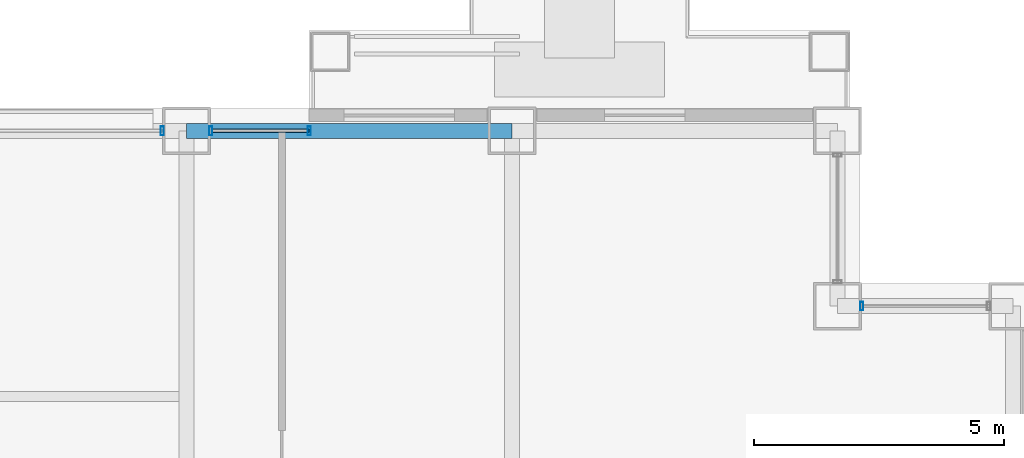
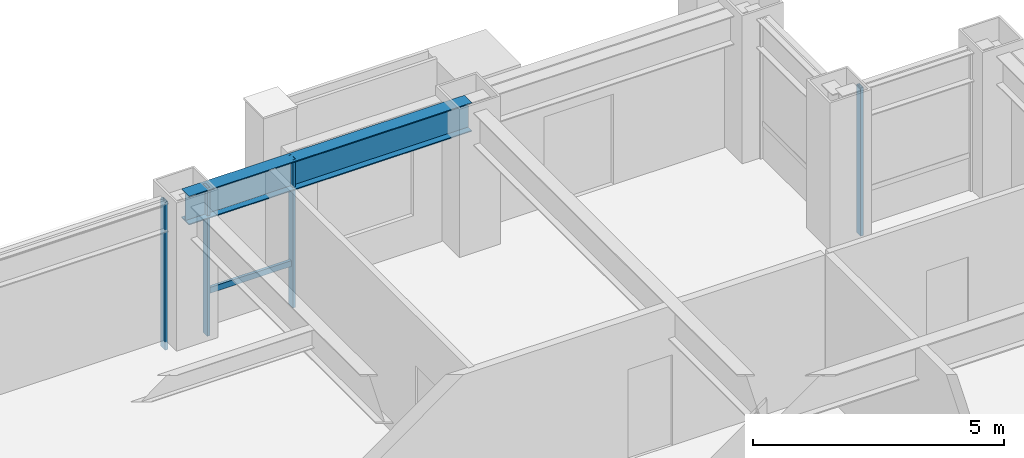
# One storey, part 20 of 31: 5 members, 1 beam, 3 elements without a shape of their own.
"""IFC4 building model written with IfcOpenShell, lengths in metres."""

from ifc_helpers import new_model, si_unit, direction, frame, origin, origin_2d, place, context, subcontext, project, spatial, hollow_rectangle, i_section, extrude, material, layer, layer_set, material_profile, profile_set, type_object, element, aggregate, save


model = new_model("IFC4")

# Units and contexts
model_context = context("Model", 3, precision=1e-05, world=origin(), true_north=direction((0.0, 1.0)))
body_context = subcontext(model_context, "Body", "Model", "MODEL_VIEW")
ifc_project = project(units=[si_unit("LENGTHUNIT", "METRE"), si_unit("AREAUNIT", "SQUARE_METRE"), si_unit("VOLUMEUNIT", "CUBIC_METRE"), si_unit("PLANEANGLEUNIT", "RADIAN"), si_unit("MASSUNIT", "GRAM", prefix="KILO")], contexts=[model_context])

# Site, building, storey
site_placement = place(None, origin())
site = spatial("IfcSite", under=ifc_project, at=site_placement, CompositionType="ELEMENT")
building_placement = place(site_placement, origin())
building = spatial("IfcBuilding", under=site, at=building_placement, Name="Brelmoor Portico Tower", CompositionType="ELEMENT")
storey_placement = place(building_placement, frame((0.0, 0.0, 42.0)))
storey = spatial("IfcBuildingStorey", under=building, at=storey_placement, Name="L10", CompositionType="ELEMENT", Elevation=42.0)

# Beam
ifc_material_1 = material(Name="Steel Q355B", Category="steel")
ifc_material_profile_1 = material_profile(ifc_material_1, i_section(OverallWidth=0.300048828125, OverallDepth=0.699951171875, WebThickness=0.012939453125, FlangeThickness=0.02392578125, at=origin_2d()), Name="HN 700x300x13x24")
ifc_profile_set_1 = profile_set([ifc_material_profile_1], Name="Steel Q355B")
beam_type = type_object("IfcBeamType", Name="BM-SP-700", PredefinedType="SPANDREL", material=ifc_profile_set_1)
beam_placement = place(storey_placement, frame((8.050048828125, 21.550048828125, 3.050048828125), z_axis=(1.0, 0.0, 0.0), x_axis=(0.0, 1.0, 0.0)))
element("IfcBeam", 1, at=beam_placement, inside=storey, type_object=beam_type, Name="L10 Perimeter Spandrel Beam SP-13", PredefinedType="SPANDREL", context=body_context, shape_type="SweptSolid", body=[
    extrude(i_section(OverallWidth=0.300048828125, OverallDepth=0.699951171875, WebThickness=0.012939453125, FlangeThickness=0.02392578125, at=origin_2d()), origin(), (0.0, 0.0, 1.0), 6.5),
])

# Curtain wall, member
ifc_material_2 = material(Name="Anodised Aluminium Alloy 6063-T6", Category="aluminium")
ifc_layer_1 = layer(ifc_material_2, 0.179931640625)
ifc_layer_set_1 = layer_set([ifc_layer_1], Name="Anodised Aluminium Alloy 6063-T6")
curtain_wall_type_1 = type_object("IfcCurtainWallType", Name="CW-NOTCH-CHAMFER", PredefinedType="NOTDEFINED", material=ifc_layer_set_1)
curtain_wall_1_placement = place(storey_placement, origin())
curtain_wall_1 = element("IfcCurtainWall", 2, at=curtain_wall_1_placement, inside=storey, type_object=curtain_wall_type_1, Name="L10 Curtain Wall CWN-L10-NEH", PredefinedType="NOTDEFINED")
ifc_material_profile_2 = material_profile(ifc_material_2, hollow_rectangle(XDim=0.06494140625, YDim=0.1650390625, WallThickness=0.00390625, at=origin_2d()), Name="ALU MULLION 65x165")
ifc_profile_set_2 = profile_set([ifc_material_profile_2], Name="Anodised Aluminium Alloy 6063-T6")
member_type_1 = type_object("IfcMemberType", Name="MB-CW-MULL-165", PredefinedType="MULLION", material=ifc_profile_set_2)
member_1_placement = place(storey_placement, frame((21.534912109375, 18.050048828125, -0.199951171875), z_axis=(0.0, 0.0, 1.0), x_axis=(1.0, 0.0, 0.0)))
member_1 = element("IfcMember", 3, at=member_1_placement, type_object=member_type_1, Name="CWN-L10-NEH Mullion 00", PredefinedType="MULLION", context=body_context, shape_type="SweptSolid", body=[
    extrude(hollow_rectangle(XDim=0.06494140625, YDim=0.1650390625, WallThickness=0.00390625, at=origin_2d()), origin(), (0.0, 0.0, 1.0), 3.599853515625),
])
aggregate(curtain_wall_1, [member_1])

ifc_layer_2 = layer(ifc_material_2, 0.179931640625)
ifc_layer_set_2 = layer_set([ifc_layer_2], Name="Anodised Aluminium Alloy 6063-T6")
curtain_wall_type_2 = type_object("IfcCurtainWallType", Name="CW-TOWER-Z1-XB", PredefinedType="NOTDEFINED", material=ifc_layer_set_2)
curtain_wall_2_placement = place(storey_placement, origin())
curtain_wall_2 = element("IfcCurtainWall", 4, at=curtain_wall_2_placement, inside=storey, type_object=curtain_wall_type_2, Name="L10 Curtain Wall CW-L10-2L-3", PredefinedType="NOTDEFINED")
ifc_material_profile_3 = material_profile(ifc_material_2, hollow_rectangle(XDim=0.06494140625, YDim=0.179931640625, WallThickness=0.00390625, at=origin_2d()), Name="ALU MULLION 65x180")
ifc_profile_set_3 = profile_set([ifc_material_profile_3], Name="Anodised Aluminium Alloy 6063-T6")
member_type_2 = type_object("IfcMemberType", Name="MB-CW-MULL-180", PredefinedType="MULLION", material=ifc_profile_set_3)
member_2_placement = place(storey_placement, frame((7.56494140625, 21.550048828125, -0.199951171875), z_axis=(0.0, 0.0, 1.0), x_axis=(1.0, 0.0, 0.0)))
member_2 = element("IfcMember", 5, at=member_2_placement, type_object=member_type_2, Name="CW-L10-2L-3 Mullion 01", PredefinedType="MULLION", context=body_context, shape_type="SweptSolid", body=[
    extrude(hollow_rectangle(XDim=0.06494140625, YDim=0.179931640625, WallThickness=0.00390625, at=origin_2d()), origin(), (0.0, 0.0, 1.0), 3.599853515625),
])
aggregate(curtain_wall_2, [member_2])

# Curtain wall, members
ifc_layer_3 = layer(ifc_material_2, 0.179931640625)
ifc_layer_set_3 = layer_set([ifc_layer_3], Name="Anodised Aluminium Alloy 6063-T6")
curtain_wall_type_3 = type_object("IfcCurtainWallType", Name="CW-TOWER-Z1", PredefinedType="NOTDEFINED", material=ifc_layer_set_3)
curtain_wall_3_placement = place(storey_placement, origin())
curtain_wall_3 = element("IfcCurtainWall", 6, at=curtain_wall_3_placement, inside=storey, type_object=curtain_wall_type_3, Name="L10 Curtain Wall CW-L10-2L-4", PredefinedType="NOTDEFINED")
member_3_placement = place(storey_placement, frame((8.534912109375, 21.550048828125, -0.199951171875), z_axis=(0.0, 0.0, 1.0), x_axis=(1.0, 0.0, 0.0)))
member_3 = element("IfcMember", 7, at=member_3_placement, type_object=member_type_2, Name="CW-L10-2L-4 Mullion 00", PredefinedType="MULLION", context=body_context, shape_type="SweptSolid", body=[
    extrude(hollow_rectangle(XDim=0.06494140625, YDim=0.179931640625, WallThickness=0.00390625, at=origin_2d()), origin(), (0.0, 0.0, 1.0), 3.599853515625),
])
member_4_placement = place(storey_placement, frame((10.5, 21.550048828125, -0.199951171875), z_axis=(0.0, 0.0, 1.0), x_axis=(1.0, 0.0, 0.0)))
member_4 = element("IfcMember", 8, at=member_4_placement, type_object=member_type_2, Name="CW-L10-2L-4 Mullion 01", PredefinedType="MULLION", context=body_context, shape_type="SweptSolid", body=[
    extrude(hollow_rectangle(XDim=0.06494140625, YDim=0.179931640625, WallThickness=0.00390625, at=origin_2d()), origin(), (0.0, 0.0, 1.0), 3.599853515625),
])
ifc_material_profile_4 = material_profile(ifc_material_2, hollow_rectangle(XDim=0.06494140625, YDim=0.139892578125, WallThickness=0.00390625, at=origin_2d()), Name="ALU TRANSOM 65x140")
ifc_profile_set_4 = profile_set([ifc_material_profile_4], Name="Anodised Aluminium Alloy 6063-T6")
member_type_3 = type_object("IfcMemberType", Name="MB-CW-TRAN-140", PredefinedType="USERDEFINED", material=ifc_profile_set_4)
member_5_placement = place(storey_placement, frame((8.534912109375, 21.550048828125, 0.85009765625), z_axis=(1.0, 0.0, 0.0), x_axis=(0.0, 1.0, 0.0)))
member_5 = element("IfcMember", 9, at=member_5_placement, type_object=member_type_3, Name="CW-L10-2L-4 Transom 1-00", ObjectType="TRANSOM", PredefinedType="USERDEFINED", context=body_context, shape_type="SweptSolid", body=[
    extrude(hollow_rectangle(XDim=0.06494140625, YDim=0.139892578125, WallThickness=0.00390625, at=origin_2d()), origin(), (0.0, 0.0, 1.0), 1.965087890625),
])
aggregate(curtain_wall_3, [member_3, member_4, member_5])

save(model, "model.ifc")
